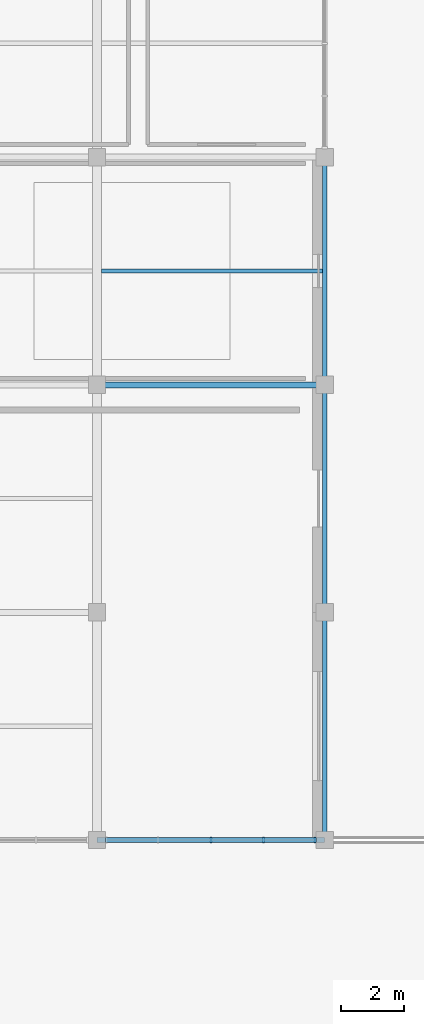
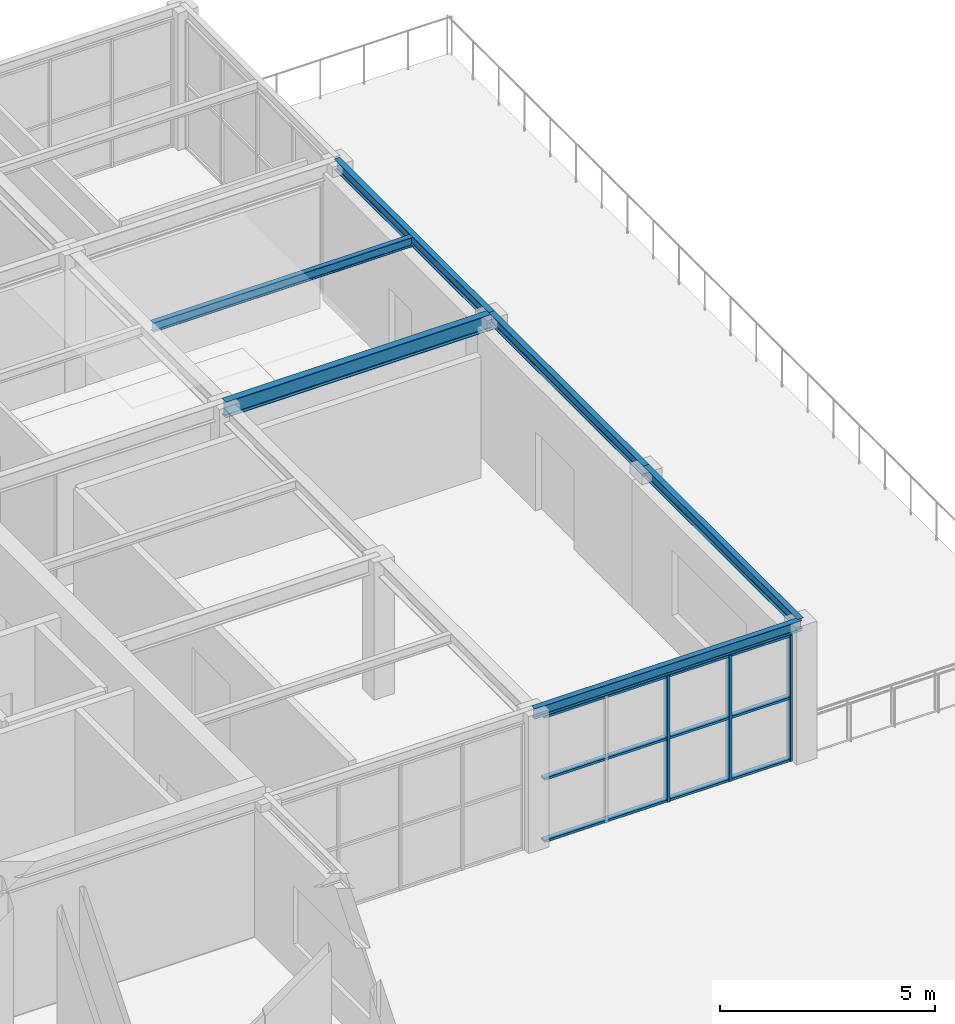
# One storey, part 9 of 30: 6 beams, 6 members, 1 element without a shape of its own.
"""IFC4 building model written with IfcOpenShell, lengths in metres."""

from ifc_helpers import new_model, si_unit, direction, frame, origin, origin_2d, place, context, subcontext, project, spatial, rectangle, i_section, extrude, material, material_profile, profile_set, type_object, element, aggregate, save


model = new_model("IFC4")

# Units and contexts
model_context = context("Model", 3, precision=1e-05, world=origin(), true_north=direction((0.0, 1.0)))
body_context = subcontext(model_context, "Body", "Model", "MODEL_VIEW")
ifc_project = project(units=[si_unit("LENGTHUNIT", "METRE"), si_unit("AREAUNIT", "SQUARE_METRE"), si_unit("VOLUMEUNIT", "CUBIC_METRE"), si_unit("PLANEANGLEUNIT", "RADIAN"), si_unit("MASSUNIT", "GRAM", prefix="KILO")], contexts=[model_context])

# Site, building, storey
site_placement = place(None, origin())
site = spatial("IfcSite", under=ifc_project, at=site_placement, CompositionType="ELEMENT")
building_placement = place(site_placement, origin())
building = spatial("IfcBuilding", under=site, at=building_placement, Name="Leyfeld Transit Interchange", CompositionType="ELEMENT")
storey_placement = place(building_placement, frame((0.0, 0.0, 13.800048828125)))
storey = spatial("IfcBuildingStorey", under=building, at=storey_placement, Name="L03", CompositionType="ELEMENT", Elevation=13.800048828125)

# Beams
ifc_material_1 = material(Name="Steel S355J2", Category="steel")
ifc_material_profile_1 = material_profile(ifc_material_1, i_section(OverallWidth=0.135009765625, OverallDepth=0.27001953125, WebThickness=0.006591796875, FlangeThickness=0.01025390625, FilletRadius=0.014892578125, at=origin_2d()), Name="IPE 270")
ifc_profile_set_1 = profile_set([ifc_material_profile_1], Name="Steel S355J2")
beam_type_1 = type_object("IfcBeamType", Name="BM-STL-IPE270", PredefinedType="BEAM", material=ifc_profile_set_1)
beam_1_placement = place(storey_placement, frame((28.947021484375, 111.60009765625, 3.764892578125), z_axis=(1.0, 0.0, 0.0), x_axis=(0.0, 1.0, 0.0)))
element("IfcBeam", 1, at=beam_1_placement, inside=storey, type_object=beam_type_1, Name="Beam BM-L03-0289_1116-0359_1116", PredefinedType="BEAM", context=body_context, shape_type="SweptSolid", body=[
    extrude(i_section(OverallWidth=0.135009765625, OverallDepth=0.27001953125, WebThickness=0.006591796875, FlangeThickness=0.01025390625, FilletRadius=0.014892578125, at=origin_2d()), origin(), (0.0, 0.0, 1.0), 6.98095703125),
])
ifc_material_profile_2 = material_profile(ifc_material_1, i_section(OverallWidth=0.14990234375, OverallDepth=0.300048828125, WebThickness=0.007080078125, FlangeThickness=0.0107421875, FilletRadius=0.014892578125, at=origin_2d()), Name="IPE 300")
ifc_profile_set_2 = profile_set([ifc_material_profile_2], Name="Steel S355J2")
beam_type_2 = type_object("IfcBeamType", Name="BM-STL-IPE300", PredefinedType="SPANDREL", material=ifc_profile_set_2)
for number, where, z_axis, x_axis, name in (
    (2, (36.0, 93.60009765625, 3.75), (0.0, 1.0, 0.0), (-1.0, 0.0, 0.0), "Beam BM-L03-0360_0936-0360_1008"),
    (3, (36.0, 100.800048828125, 3.75), (0.0, 1.0, 0.0), (-1.0, 0.0, 0.0), "Beam BM-L03-0360_1008-0360_1080"),
    (4, (36.0, 108.0, 3.75), (0.0, 1.0, 0.0), (-1.0, 0.0, 0.0), "Beam BM-L03-0360_1080-0360_1152"),
    (5, (28.800048828125, 93.60009765625, 3.75), (1.0, 0.0, 0.0), (0.0, 1.0, 0.0), "Beam BM-L03-0288_0936-0360_0936"),
):
    element("IfcBeam", number, at=place(storey_placement, frame(where, z_axis=z_axis, x_axis=x_axis)), inside=storey, type_object=beam_type_2, Name=name, PredefinedType="SPANDREL", context=body_context, shape_type="SweptSolid", body=[
        extrude(i_section(OverallWidth=0.14990234375, OverallDepth=0.300048828125, WebThickness=0.007080078125, FlangeThickness=0.0107421875, FilletRadius=0.014892578125, at=origin_2d()), origin(), (0.0, 0.0, 1.0), 7.199951171875),
    ])
ifc_material_profile_3 = material_profile(ifc_material_1, i_section(OverallWidth=0.18994140625, OverallDepth=0.449951171875, WebThickness=0.009521484375, FlangeThickness=0.0146484375, FilletRadius=0.02099609375, at=origin_2d()), Name="IPE 450")
ifc_profile_set_3 = profile_set([ifc_material_profile_3], Name="Steel S355J2")
beam_type_3 = type_object("IfcBeamType", Name="BM-STL-IPE450", PredefinedType="BEAM", material=ifc_profile_set_3)
beam_2_placement = place(storey_placement, frame((28.800048828125, 108.0, 3.675048828125), z_axis=(1.0, 0.0, 0.0), x_axis=(0.0, 1.0, 0.0)))
element("IfcBeam", 6, at=beam_2_placement, inside=storey, type_object=beam_type_3, Name="Beam BM-L03-0288_1080-0360_1080", PredefinedType="BEAM", context=body_context, shape_type="SweptSolid", body=[
    extrude(i_section(OverallWidth=0.18994140625, OverallDepth=0.449951171875, WebThickness=0.009521484375, FlangeThickness=0.0146484375, FilletRadius=0.02099609375, at=origin_2d()), origin(), (0.0, 0.0, 1.0), 7.199951171875),
])

# Curtain wall, members
ifc_material_2 = material(Name="Anodised aluminium EN AW-6060 T66", Category="aluminium")
curtain_wall_type = type_object("IfcCurtainWallType", Name="CW-SYS-OPS-7200", PredefinedType="NOTDEFINED", material=ifc_material_2)
curtain_wall_placement = place(storey_placement, origin())
curtain_wall = element("IfcCurtainWall", 7, at=curtain_wall_placement, inside=storey, type_object=curtain_wall_type, Name="Curtain Wall CW-L03-126", PredefinedType="NOTDEFINED")
ifc_material_profile_4 = material_profile(ifc_material_2, rectangle(XDim=0.06494140625, YDim=0.179931640625, at=origin_2d()), Name="CW-M 65x180")
ifc_profile_set_4 = profile_set([ifc_material_profile_4], Name="Anodised aluminium EN AW-6060 T66")
member_type_1 = type_object("IfcMemberType", Name="CW-MUL-150x65", PredefinedType="MULLION", material=ifc_profile_set_4)
member_1_placement = place(storey_placement, frame((35.702392578125, 93.60009765625, 0.0), z_axis=(0.0, 0.0, 1.0), x_axis=(-1.0, 0.0, 0.0)))
member_1 = element("IfcMember", 8, at=member_1_placement, type_object=member_type_1, Name="Curtain Mullion CW-L03-126-M01", PredefinedType="MULLION", context=body_context, shape_type="SweptSolid", body=[
    extrude(rectangle(XDim=0.06494140625, YDim=0.179931640625, at=origin_2d()), origin(), (0.0, 0.0, 1.0), 3.599853515625),
])
member_2_placement = place(storey_placement, frame((34.0673828125, 93.60009765625, 0.0), z_axis=(0.0, 0.0, 1.0), x_axis=(-1.0, 0.0, 0.0)))
member_2 = element("IfcMember", 9, at=member_2_placement, type_object=member_type_1, Name="Curtain Mullion CW-L03-126-M02", PredefinedType="MULLION", context=body_context, shape_type="SweptSolid", body=[
    extrude(rectangle(XDim=0.06494140625, YDim=0.179931640625, at=origin_2d()), origin(), (0.0, 0.0, 1.0), 3.599853515625),
])
member_3_placement = place(storey_placement, frame((32.39990234375, 93.60009765625, 0.0), z_axis=(0.0, 0.0, 1.0), x_axis=(-1.0, 0.0, 0.0)))
member_3 = element("IfcMember", 10, at=member_3_placement, type_object=member_type_1, Name="Curtain Mullion CW-L03-126-M03", PredefinedType="MULLION", context=body_context, shape_type="SweptSolid", body=[
    extrude(rectangle(XDim=0.06494140625, YDim=0.179931640625, at=origin_2d()), origin(), (0.0, 0.0, 1.0), 3.599853515625),
])
ifc_material_profile_5 = material_profile(ifc_material_2, rectangle(XDim=0.14990234375, YDim=0.06494140625, at=origin_2d()), Name="CW-TRN-135x65")
ifc_profile_set_5 = profile_set([ifc_material_profile_5], Name="Anodised aluminium EN AW-6060 T66")
member_type_2 = type_object("IfcMemberType", Name="CW-TRN-135x65", PredefinedType="USERDEFINED", material=ifc_profile_set_5)
member_4_placement = place(storey_placement, frame((35.735107421875, 93.60009765625, 0.032470703125), z_axis=(-1.0, 0.0, 0.0), x_axis=(0.0, -1.0, 0.0)))
member_4 = element("IfcMember", 11, at=member_4_placement, type_object=member_type_2, Name="Curtain Transom CW-L03-126-T01", ObjectType="TRANSOM", PredefinedType="USERDEFINED", context=body_context, shape_type="SweptSolid", body=[
    extrude(rectangle(XDim=0.14990234375, YDim=0.06494140625, at=origin_2d()), origin(), (0.0, 0.0, 1.0), 6.670166015625),
])
member_5_placement = place(storey_placement, frame((35.735107421875, 93.60009765625, 1.800048828125), z_axis=(-1.0, 0.0, 0.0), x_axis=(0.0, -1.0, 0.0)))
member_5 = element("IfcMember", 12, at=member_5_placement, type_object=member_type_2, Name="Curtain Transom CW-L03-126-T02", ObjectType="TRANSOM", PredefinedType="USERDEFINED", context=body_context, shape_type="SweptSolid", body=[
    extrude(rectangle(XDim=0.14990234375, YDim=0.06494140625, at=origin_2d()), origin(), (0.0, 0.0, 1.0), 6.670166015625),
])
member_6_placement = place(storey_placement, frame((35.735107421875, 93.60009765625, 3.5673828125), z_axis=(-1.0, 0.0, 0.0), x_axis=(0.0, -1.0, 0.0)))
member_6 = element("IfcMember", 13, at=member_6_placement, type_object=member_type_2, Name="Curtain Transom CW-L03-126-T03", ObjectType="TRANSOM", PredefinedType="USERDEFINED", context=body_context, shape_type="SweptSolid", body=[
    extrude(rectangle(XDim=0.14990234375, YDim=0.06494140625, at=origin_2d()), origin(), (0.0, 0.0, 1.0), 6.670166015625),
])
aggregate(curtain_wall, [member_1, member_2, member_3, member_4, member_5, member_6])

save(model, "model.ifc")
